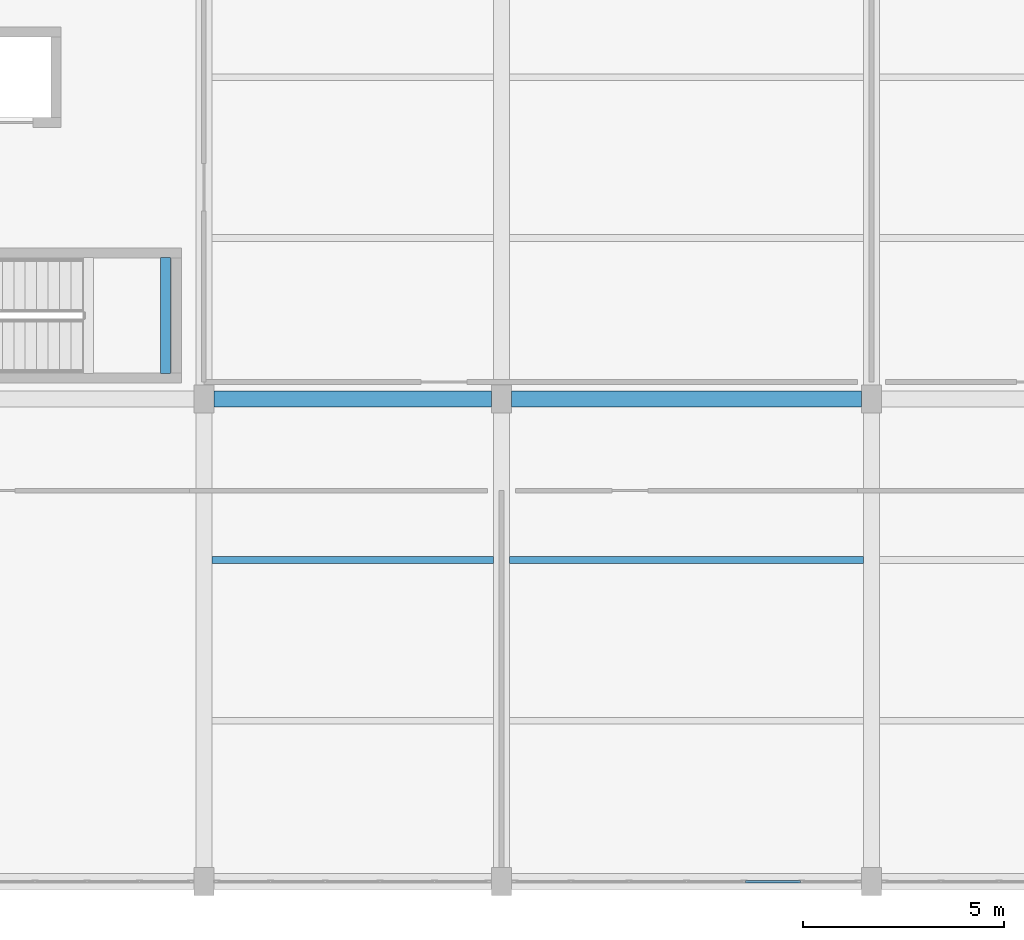
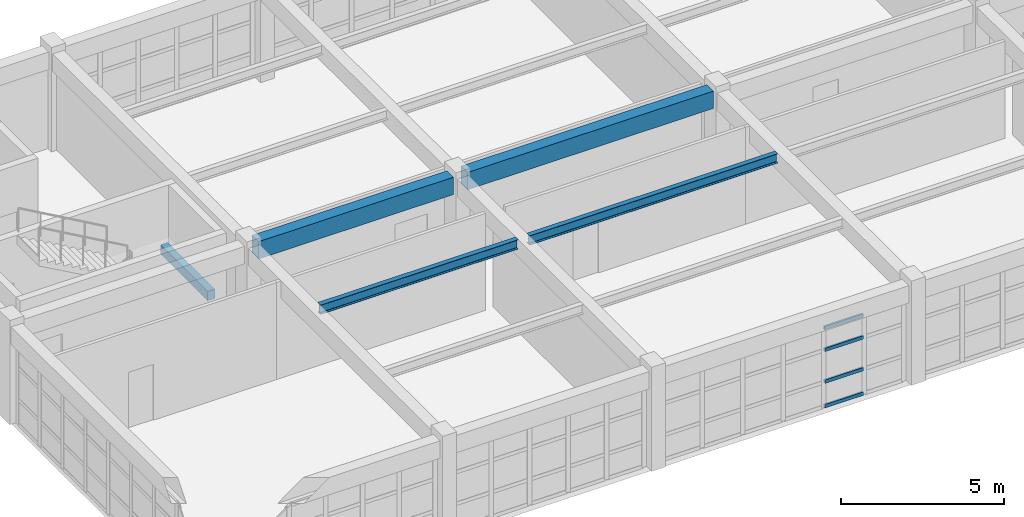
# One storey, part 21 of 150: 5 beams, 4 members, 1 element without a shape of its own.
"""IFC4 building model written with IfcOpenShell, lengths in metres."""

from ifc_helpers import new_model, si_unit, direction, frame, origin, origin_2d, place, context, subcontext, project, spatial, rectangle, hollow_rectangle, i_section, extrude, material, material_profile, profile_set, type_object, element, aggregate, save


model = new_model("IFC4")

# Units and contexts
model_context = context("Model", 3, precision=1e-05, world=origin(), true_north=direction((0.0, 1.0)))
body_context = subcontext(model_context, "Body", "Model", "MODEL_VIEW")
ifc_project = project(units=[si_unit("LENGTHUNIT", "METRE"), si_unit("AREAUNIT", "SQUARE_METRE"), si_unit("VOLUMEUNIT", "CUBIC_METRE"), si_unit("PLANEANGLEUNIT", "RADIAN"), si_unit("MASSUNIT", "GRAM", prefix="KILO")], contexts=[model_context])

# Site, building, storey
site_placement = place(None, origin())
site = spatial("IfcSite", under=ifc_project, at=site_placement, CompositionType="ELEMENT")
building_placement = place(site_placement, origin())
building = spatial("IfcBuilding", under=site, at=building_placement, Name="Kestramere Prow Commons", CompositionType="ELEMENT")
storey_placement = place(building_placement, frame((0.0, 0.0, 4.5)))
storey = spatial("IfcBuildingStorey", under=building, at=storey_placement, Name="L01", CompositionType="ELEMENT", Elevation=4.5)

# Beams
ifc_material_1 = material(Name="Precast concrete C40/50", Category="concrete")
ifc_material_profile_1 = material_profile(ifc_material_1, rectangle(XDim=0.39990234375, YDim=0.64990234375, at=origin_2d()), Name="PC-BM 400x650")
ifc_profile_set_1 = profile_set([ifc_material_profile_1], Name="Precast concrete C40/50")
beam_type_1 = type_object("IfcBeamType", Name="BM-MK-01 PC-BM 400x650", PredefinedType="BEAM", material=ifc_profile_set_1)
beam_1_placement = place(storey_placement, frame((68.64990234375, 12.0, 3.324951171875), z_axis=(1.0, 0.0, 0.0), x_axis=(0.0, 1.0, 0.0)))
element("IfcBeam", 1, at=beam_1_placement, inside=storey, type_object=beam_type_1, Name="Market Spine L01 Beam X 2-2", PredefinedType="BEAM", context=body_context, shape_type="SweptSolid", body=[
    extrude(rectangle(XDim=0.39990234375, YDim=0.64990234375, at=origin_2d()), origin(), (0.0, 0.0, 1.0), 6.900146484375),
])
beam_2_placement = place(storey_placement, frame((76.050048828125, 12.0, 3.324951171875), z_axis=(1.0, 0.0, 0.0), x_axis=(0.0, 1.0, 0.0)))
element("IfcBeam", 2, at=beam_2_placement, inside=storey, type_object=beam_type_1, Name="Market Spine L01 Beam X 2-3", PredefinedType="BEAM", context=body_context, shape_type="SweptSolid", body=[
    extrude(rectangle(XDim=0.39990234375, YDim=0.64990234375, at=origin_2d()), origin(), (0.0, 0.0, 1.0), 8.699951171875),
])
ifc_material_2 = material(Name="Concrete C40/50", Category="concrete")
ifc_material_profile_2 = material_profile(ifc_material_2, rectangle(XDim=0.25, YDim=0.35009765625, at=origin_2d()), Name="PC-BM 250x350")
ifc_profile_set_2 = profile_set([ifc_material_profile_2], Name="Concrete C40/50")
beam_type_2 = type_object("IfcBeamType", Name="BM-ST-TRIM", PredefinedType="BEAM", material=ifc_profile_set_2)
beam_3_placement = place(storey_placement, frame((67.449951171875, 12.6298828125, 1.574951171875), z_axis=(0.0, 1.0, 0.0), x_axis=(-1.0, 0.0, 0.0)))
element("IfcBeam", 3, at=beam_3_placement, inside=storey, type_object=beam_type_2, Name="ST-M1 L01 Landing Trimmer Beam 1B", PredefinedType="BEAM", context=body_context, shape_type="SweptSolid", body=[
    extrude(rectangle(XDim=0.25, YDim=0.35009765625, at=origin_2d()), origin(), (0.0, 0.0, 1.0), 2.89013671875),
])

# Curtain wall, members
ifc_material_3 = material(Name="Anodised Aluminium and Low-E Glass", Category="aluminium")
curtain_wall_type = type_object("IfcCurtainWallType", Name="CW-25 Glazed Curtain Wall 8600x2990", PredefinedType="USERDEFINED", material=ifc_material_3)
curtain_wall_placement = place(storey_placement, origin())
curtain_wall = element("IfcCurtainWall", 4, at=curtain_wall_placement, inside=storey, type_object=curtain_wall_type, Name="Market L01 South Shopfront 3", ObjectType="GLAZED CURTAIN WALL", PredefinedType="USERDEFINED")
ifc_material_4 = material(Name="Anodised Aluminium 6063-T6", Category="aluminium")
ifc_material_profile_3 = material_profile(ifc_material_4, hollow_rectangle(XDim=0.06494140625, YDim=0.1298828125, WallThickness=0.00390625, at=origin_2d()), Name="ALU-TRN 65x130")
ifc_profile_set_3 = profile_set([ifc_material_profile_3], Name="Anodised Aluminium 6063-T6")
member_type = type_object("IfcMemberType", Name="CW-TRN-65x130", PredefinedType="USERDEFINED", material=ifc_profile_set_3)
member_1_placement = place(storey_placement, frame((83.234130859375, 0.0, 0.032470703125), z_axis=(-1.0, 0.0, 0.0), x_axis=(0.0, -1.0, 0.0)))
member_1 = element("IfcMember", 5, at=member_1_placement, type_object=member_type, Name="CW-25 transom 2.1", ObjectType="TRANSOM", PredefinedType="USERDEFINED", context=body_context, shape_type="SweptSolid", body=[
    extrude(hollow_rectangle(XDim=0.06494140625, YDim=0.1298828125, WallThickness=0.00390625, at=origin_2d()), origin(), (0.0, 0.0, 1.0), 1.368408203125),
])
member_2_placement = place(storey_placement, frame((83.234130859375, 0.0, 0.949951171875), z_axis=(-1.0, 0.0, 0.0), x_axis=(0.0, -1.0, 0.0)))
member_2 = element("IfcMember", 6, at=member_2_placement, type_object=member_type, Name="CW-25 transom 2.2", ObjectType="TRANSOM", PredefinedType="USERDEFINED", context=body_context, shape_type="SweptSolid", body=[
    extrude(hollow_rectangle(XDim=0.06494140625, YDim=0.1298828125, WallThickness=0.00390625, at=origin_2d()), origin(), (0.0, 0.0, 1.0), 1.368408203125),
])
member_3_placement = place(storey_placement, frame((83.234130859375, 0.0, 2.139892578125), z_axis=(-1.0, 0.0, 0.0), x_axis=(0.0, -1.0, 0.0)))
member_3 = element("IfcMember", 7, at=member_3_placement, type_object=member_type, Name="CW-25 transom 2.3", ObjectType="TRANSOM", PredefinedType="USERDEFINED", context=body_context, shape_type="SweptSolid", body=[
    extrude(hollow_rectangle(XDim=0.06494140625, YDim=0.1298828125, WallThickness=0.00390625, at=origin_2d()), origin(), (0.0, 0.0, 1.0), 1.368408203125),
])
member_4_placement = place(storey_placement, frame((83.234130859375, 0.0, 2.95751953125), z_axis=(-1.0, 0.0, 0.0), x_axis=(0.0, -1.0, 0.0)))
member_4 = element("IfcMember", 8, at=member_4_placement, type_object=member_type, Name="CW-25 transom 2.4", ObjectType="TRANSOM", PredefinedType="USERDEFINED", context=body_context, shape_type="SweptSolid", body=[
    extrude(hollow_rectangle(XDim=0.06494140625, YDim=0.1298828125, WallThickness=0.00390625, at=origin_2d()), origin(), (0.0, 0.0, 1.0), 1.368408203125),
])
aggregate(curtain_wall, [member_1, member_2, member_3, member_4])

# Beams
ifc_material_5 = material(Name="Steel S355JR", Category="steel")
ifc_material_profile_4 = material_profile(ifc_material_5, i_section(OverallWidth=0.17138671875, OverallDepth=0.35498046875, WebThickness=0.00732421875, FlangeThickness=0.011474609375, FilletRadius=0.01025390625, at=origin_2d()), Name="UB 356x171x51")
ifc_profile_set_4 = profile_set([ifc_material_profile_4], Name="Steel S355JR")
beam_type_3 = type_object("IfcBeamType", Name="JST-MK-01 UB 356x171x51", PredefinedType="JOIST", material=ifc_profile_set_4)
beam_4_placement = place(storey_placement, frame((68.60009765625, 8.0, 3.472412109375), z_axis=(1.0, 0.0, 0.0), x_axis=(0.0, 1.0, 0.0)))
element("IfcBeam", 9, at=beam_4_placement, inside=storey, type_object=beam_type_3, Name="Market Spine L01 Secondary Joist 2-8", PredefinedType="JOIST", context=body_context, shape_type="SweptSolid", body=[
    extrude(i_section(OverallWidth=0.17138671875, OverallDepth=0.35498046875, WebThickness=0.00732421875, FlangeThickness=0.011474609375, FilletRadius=0.01025390625, at=origin_2d()), origin(), (0.0, 0.0, 1.0), 7.0),
])
beam_5_placement = place(storey_placement, frame((76.0, 8.0, 3.472412109375), z_axis=(1.0, 0.0, 0.0), x_axis=(0.0, 1.0, 0.0)))
element("IfcBeam", 10, at=beam_5_placement, inside=storey, type_object=beam_type_3, Name="Market Spine L01 Secondary Joist 3-8", PredefinedType="JOIST", context=body_context, shape_type="SweptSolid", body=[
    extrude(i_section(OverallWidth=0.17138671875, OverallDepth=0.35498046875, WebThickness=0.00732421875, FlangeThickness=0.011474609375, FilletRadius=0.01025390625, at=origin_2d()), origin(), (0.0, 0.0, 1.0), 8.800048828125),
])

save(model, "model.ifc")
